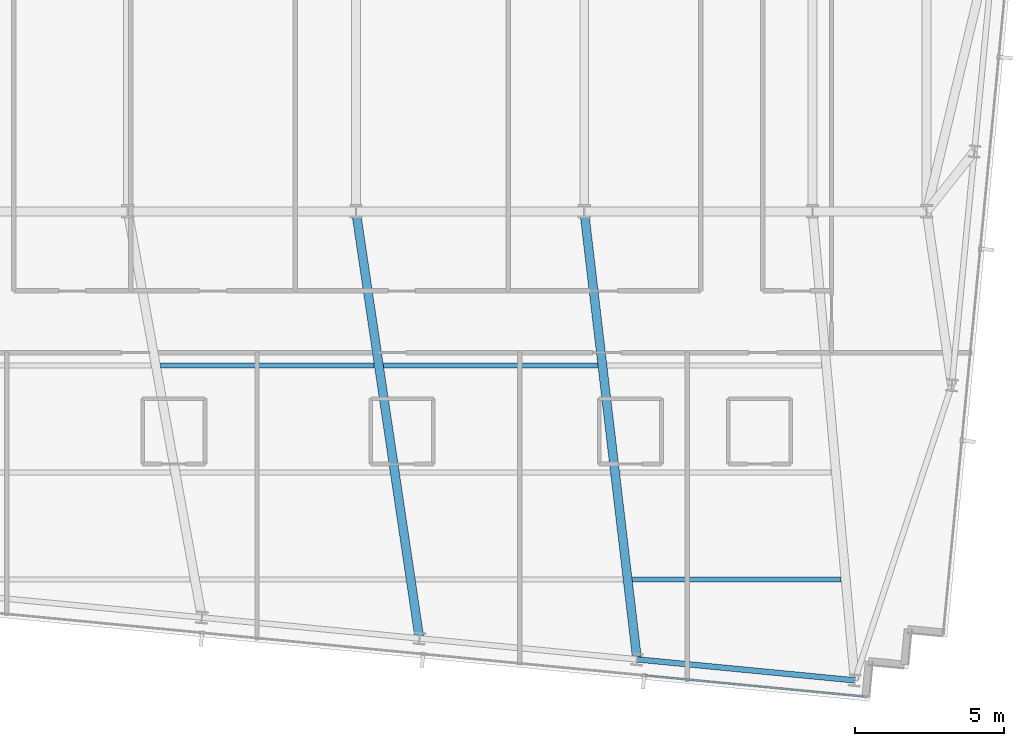
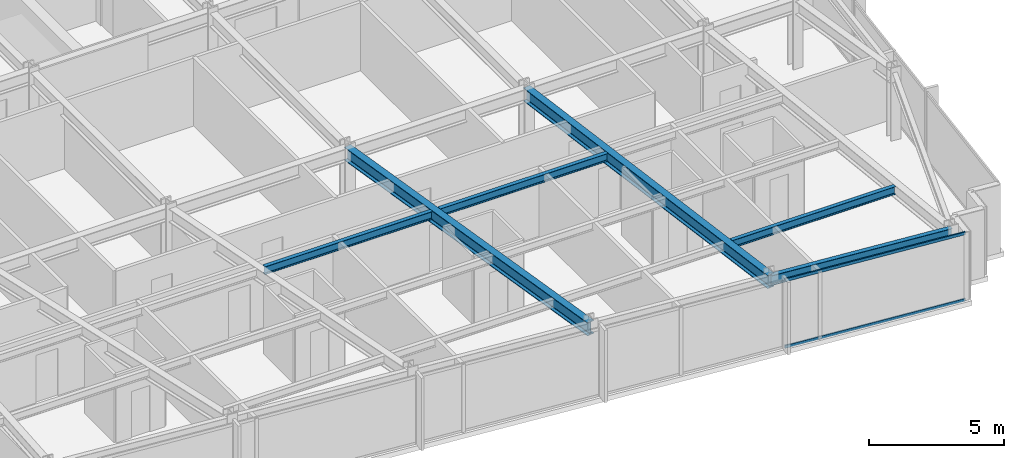
# One storey, part 13 of 38: 6 beams, 2 members, 1 element without a shape of its own.
"""IFC4 building model written with IfcOpenShell, lengths in metres."""

from ifc_helpers import new_model, si_unit, direction, frame, origin, origin_2d, place, context, subcontext, project, spatial, hollow_rectangle, i_section, extrude, material, material_profile, profile_set, type_object, element, aggregate, save


model = new_model("IFC4")

# Units and contexts
model_context = context("Model", 3, precision=1e-05, world=origin(), true_north=direction((0.0, 1.0)))
body_context = subcontext(model_context, "Body", "Model", "MODEL_VIEW")
ifc_project = project(units=[si_unit("LENGTHUNIT", "METRE"), si_unit("AREAUNIT", "SQUARE_METRE"), si_unit("VOLUMEUNIT", "CUBIC_METRE"), si_unit("PLANEANGLEUNIT", "RADIAN"), si_unit("MASSUNIT", "GRAM", prefix="KILO")], contexts=[model_context])

# Site, building, storey
site_placement = place(None, origin())
site = spatial("IfcSite", under=ifc_project, at=site_placement, CompositionType="ELEMENT")
building_placement = place(site_placement, origin())
building = spatial("IfcBuilding", under=site, at=building_placement, Name="Yelkora Congress Tower", CompositionType="ELEMENT")
storey_placement = place(building_placement, frame((0.0, 0.0, 185.300048828125)))
storey = spatial("IfcBuildingStorey", under=building, at=storey_placement, Name="L51", CompositionType="ELEMENT", Elevation=185.300048828125)

# Beams
ifc_material_1 = material(Name="Steel S355J2", Category="steel")
ifc_material_profile_1 = material_profile(ifc_material_1, i_section(OverallWidth=0.300048828125, OverallDepth=0.60009765625, WebThickness=0.015380859375, FlangeThickness=0.030029296875, FilletRadius=0.027099609375, at=origin_2d()), Name="HEB 600")
ifc_profile_set_1 = profile_set([ifc_material_profile_1], Name="Steel S355J2")
beam_type_1 = type_object("IfcBeamType", Name="BM-GIRD-HEB600", PredefinedType="BEAM", material=ifc_profile_set_1)
beam_1_placement = place(storey_placement, frame((40.53564453125, 10.83154296875, 2.780029296875), z_axis=(-0.147026183693, 0.989132600468, 0.0), x_axis=(-0.989132600468, -0.147026183693, 0.0)))
element("IfcBeam", 1, at=beam_1_placement, inside=storey, type_object=beam_type_1, Name="L51 Primary Frame Girder S06", PredefinedType="BEAM", context=body_context, shape_type="SweptSolid", body=[
    extrude(i_section(OverallWidth=0.300048828125, OverallDepth=0.60009765625, WebThickness=0.015380859375, FlangeThickness=0.030029296875, FilletRadius=0.027099609375, at=origin_2d()), origin(), (0.0, 0.0, 1.0), 14.5263671875),
])
beam_2_placement = place(storey_placement, frame((47.85888671875, 10.12646484375, 2.780029296875), z_axis=(-0.117195880411, 0.993108818617, 0.0), x_axis=(-0.993108818617, -0.117195880411, 0.0)))
element("IfcBeam", 2, at=beam_2_placement, inside=storey, type_object=beam_type_1, Name="L51 Primary Frame Girder S07", PredefinedType="BEAM", context=body_context, shape_type="SweptSolid", body=[
    extrude(i_section(OverallWidth=0.300048828125, OverallDepth=0.60009765625, WebThickness=0.015380859375, FlangeThickness=0.030029296875, FilletRadius=0.027099609375, at=origin_2d()), origin(), (0.0, 0.0, 1.0), 15.177978515625),
])
ifc_material_profile_2 = material_profile(ifc_material_1, i_section(OverallWidth=0.169921875, OverallDepth=0.360107421875, WebThickness=0.008056640625, FlangeThickness=0.0126953125, FilletRadius=0.01806640625, at=origin_2d()), Name="IPE 360")
ifc_profile_set_2 = profile_set([ifc_material_profile_2], Name="Steel S355J2")
beam_type_2 = type_object("IfcBeamType", Name="BM-JOIST-IPE360", PredefinedType="JOIST", material=ifc_profile_set_2)
beam_3_placement = place(storey_placement, frame((47.700927734375, 12.8212890625, 2.89990234375), z_axis=(1.0, 0.0, 0.0), x_axis=(0.0, 1.0, 0.0)))
element("IfcBeam", 3, at=beam_3_placement, inside=storey, type_object=beam_type_2, Name="L51 Composite Floor Joist 4", PredefinedType="JOIST", context=body_context, shape_type="SweptSolid", body=[
    extrude(i_section(OverallWidth=0.169921875, OverallDepth=0.360107421875, WebThickness=0.008056640625, FlangeThickness=0.0126953125, FilletRadius=0.01806640625, at=origin_2d()), origin(), (0.0, 0.0, 1.0), 7.014892578125),
])
beam_4_placement = place(storey_placement, frame((31.82470703125, 20.021240234375, 2.89990234375), z_axis=(1.0, 0.0, 0.0), x_axis=(0.0, 1.0, 0.0)))
element("IfcBeam", 4, at=beam_4_placement, inside=storey, type_object=beam_type_2, Name="L51 Composite Floor Joist 16", PredefinedType="JOIST", context=body_context, shape_type="SweptSolid", body=[
    extrude(i_section(OverallWidth=0.169921875, OverallDepth=0.360107421875, WebThickness=0.008056640625, FlangeThickness=0.0126953125, FilletRadius=0.01806640625, at=origin_2d()), origin(), (0.0, 0.0, 1.0), 7.18505859375),
])
beam_5_placement = place(storey_placement, frame((39.32958984375, 20.021240234375, 2.89990234375), z_axis=(1.0, 0.0, 0.0), x_axis=(0.0, 1.0, 0.0)))
element("IfcBeam", 5, at=beam_5_placement, inside=storey, type_object=beam_type_2, Name="L51 Composite Floor Joist 17", PredefinedType="JOIST", context=body_context, shape_type="SweptSolid", body=[
    extrude(i_section(OverallWidth=0.169921875, OverallDepth=0.360107421875, WebThickness=0.008056640625, FlangeThickness=0.0126953125, FilletRadius=0.01806640625, at=origin_2d()), origin(), (0.0, 0.0, 1.0), 7.20166015625),
])
ifc_material_profile_3 = material_profile(ifc_material_1, i_section(OverallWidth=0.18994140625, OverallDepth=0.449951171875, WebThickness=0.009521484375, FlangeThickness=0.0146484375, FilletRadius=0.02099609375, at=origin_2d()), Name="IPE 450")
ifc_profile_set_3 = profile_set([ifc_material_profile_3], Name="Steel S355J2")
beam_type_3 = type_object("IfcBeamType", Name="BM-SPAN-IPE450", PredefinedType="SPANDREL", material=ifc_profile_set_3)
beam_6_placement = place(storey_placement, frame((47.85888671875, 10.12646484375, 2.85498046875), z_axis=(0.995393938538, -0.095869218844, 0.0), x_axis=(0.095869218844, 0.995393938538, 0.0)))
element("IfcBeam", 6, at=beam_6_placement, inside=storey, type_object=beam_type_3, Name="L51 Perimeter Beam 8", PredefinedType="SPANDREL", context=body_context, shape_type="SweptSolid", body=[
    extrude(i_section(OverallWidth=0.18994140625, OverallDepth=0.449951171875, WebThickness=0.009521484375, FlangeThickness=0.0146484375, FilletRadius=0.02099609375, at=origin_2d()), origin(), (0.0, 0.0, 1.0), 7.357177734375),
])

# Curtain wall, members
ifc_material_2 = material(Name="Anodised aluminium and insulated glass", Category="aluminium")
curtain_wall_type = type_object("IfcCurtainWallType", Name="CW-SYS-B3", PredefinedType="NOTDEFINED", material=ifc_material_2)
curtain_wall_placement = place(storey_placement, origin())
curtain_wall = element("IfcCurtainWall", 7, at=curtain_wall_placement, inside=storey, type_object=curtain_wall_type, Name="L51 Unitised Curtain Wall 20", PredefinedType="NOTDEFINED")
ifc_material_3 = material(Name="Anodised aluminium 6063-T6", Category="aluminium")
ifc_material_profile_4 = material_profile(ifc_material_3, hollow_rectangle(XDim=0.06005859375, YDim=0.1298828125, WallThickness=0.00390625, at=origin_2d()), Name="ALU 60x130x4")
ifc_profile_set_4 = profile_set([ifc_material_profile_4], Name="Anodised aluminium 6063-T6")
member_type = type_object("IfcMemberType", Name="MEM-TR-B3", PredefinedType="USERDEFINED", material=ifc_profile_set_4)
member_1_placement = place(storey_placement, frame((55.4716796875, 8.881103515625, 0.030029296875), z_axis=(-0.995396212442, 0.095845606344, 0.0), x_axis=(-0.095845606344, -0.995396212442, 0.0)))
member_1 = element("IfcMember", 8, at=member_1_placement, type_object=member_type, Name="CW-B3 transom 1.1", ObjectType="TRANSOM", PredefinedType="USERDEFINED", context=body_context, shape_type="SweptSolid", body=[
    extrude(hollow_rectangle(XDim=0.06005859375, YDim=0.1298828125, WallThickness=0.00390625, at=origin_2d()), origin(), (0.0, 0.0, 1.0), 7.369140625),
])
member_2_placement = place(storey_placement, frame((55.4716796875, 8.881103515625, 3.050048828125), z_axis=(-0.995396212442, 0.095845606344, 0.0), x_axis=(-0.095845606344, -0.995396212442, 0.0)))
member_2 = element("IfcMember", 9, at=member_2_placement, type_object=member_type, Name="CW-B3 transom 1.2", ObjectType="TRANSOM", PredefinedType="USERDEFINED", context=body_context, shape_type="SweptSolid", body=[
    extrude(hollow_rectangle(XDim=0.06005859375, YDim=0.1298828125, WallThickness=0.00390625, at=origin_2d()), origin(), (0.0, 0.0, 1.0), 7.369140625),
])
aggregate(curtain_wall, [member_1, member_2])

save(model, "model.ifc")
